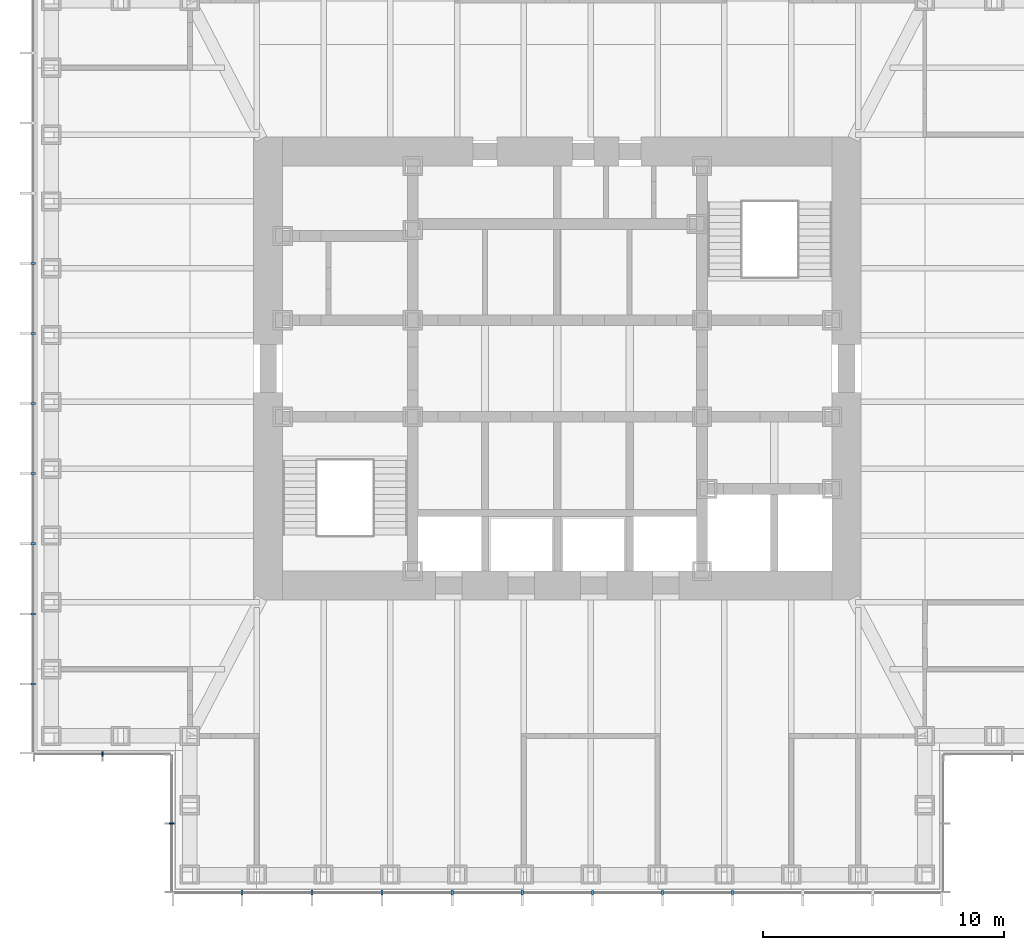
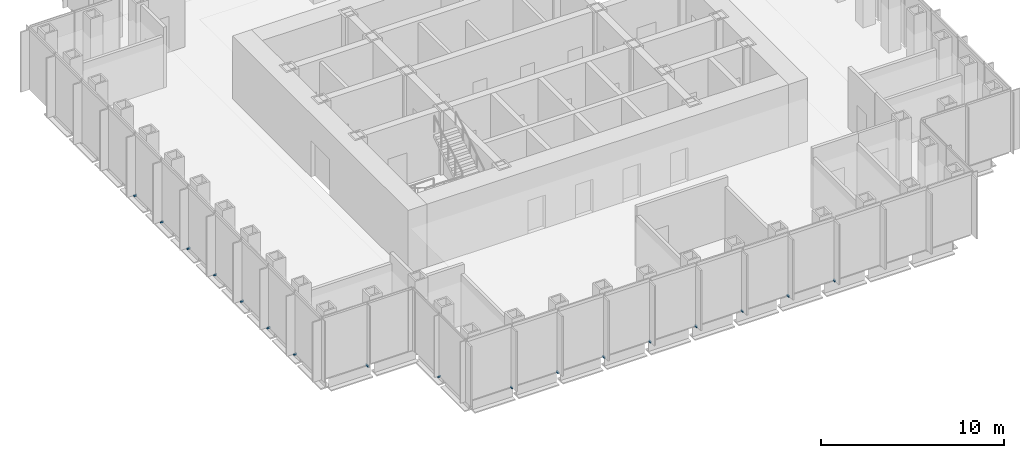
# One storey, part 11 of 16: 17 discrete accessories.
"""IFC4 building model written with IfcOpenShell, lengths in metres."""

import ifcopenshell
import ifcopenshell.guid

model = None  # the IFC model being written
_history = None  # IfcOwnerHistory: only IFC2X3 demands one
_inside = {}  # id of a spatial element -> (the spatial element, [elements in it])
_under = {}  # id of a project, library or spatial element -> (it, [spatial elements below it])
_declared = {}  # id of a project -> (the project, [libraries it declares])
_typed = {}  # id of a type object -> (the type object, [elements of that type])
_made_of = {}  # id of a material, layer set ... -> (it, [elements and type objects made of it])


def new_model(schema):
    """Start an empty IFC model of exactly this schema.

    Asked for "IFC4X3", IfcOpenShell would pick the latest addendum, in which some entities
    have other attributes; the version numbers below select the first issue.
    IFC2X3 requires an IfcOwnerHistory on every rooted entity: one is made here for all.
    """
    global model, _history
    if schema == "IFC4X3":
        model = ifcopenshell.file(schema_version=(4, 3, 0, 0))
    else:
        model = ifcopenshell.file(schema=schema)
    _inside.clear()
    _under.clear()
    _declared.clear()
    _typed.clear()
    _made_of.clear()
    _history = None
    if model.schema == "IFC2X3":
        org = make("IfcOrganization", Name="unknown")
        user = make(
            "IfcPersonAndOrganization",
            ThePerson=make("IfcPerson", FamilyName="unknown"),
            TheOrganization=org,
        )
        app = make(
            "IfcApplication",
            ApplicationDeveloper=org,
            Version="unknown",
            ApplicationFullName="unknown",
            ApplicationIdentifier="unknown",
        )
        _history = make(
            "IfcOwnerHistory",
            OwningUser=user,
            OwningApplication=app,
            ChangeAction="ADDED",
            CreationDate=0,
        )
    return model


def make(cls, **values):
    """One entity of the class cls with the attributes given. An attribute that is None is left unset."""
    return model.create_entity(
        cls, **{name: value for name, value in values.items() if value is not None}
    )


def rooted(cls, **values):
    """An entity with a GlobalId (a new one), such as an element, a storey or a relation."""
    return make(cls, GlobalId=ifcopenshell.guid.new(), OwnerHistory=_history, **values)


def si_unit(unit_type, name, prefix=None):
    """IfcSIUnit, for example si_unit("LENGTHUNIT", "METRE", prefix="MILLI")."""
    return make("IfcSIUnit", UnitType=unit_type, Prefix=prefix, Name=name)


def assignment(units):
    """IfcUnitAssignment: the units of a project."""
    return None if units is None else make("IfcUnitAssignment", Units=units)


def point(xyz):
    """IfcCartesianPoint."""
    return None if xyz is None else make("IfcCartesianPoint", Coordinates=xyz)


def direction(xyz):
    """IfcDirection."""
    return None if xyz is None else make("IfcDirection", DirectionRatios=xyz)


def frame(location, z_axis=None, x_axis=None):
    """IfcAxis2Placement3D, a coordinate frame: its origin and axes. An axis left out is left unset."""
    return make(
        "IfcAxis2Placement3D",
        Location=point(location),
        Axis=direction(z_axis),
        RefDirection=direction(x_axis),
    )


def frame_2d(location, x_axis=None):
    """IfcAxis2Placement2D, a coordinate frame in the plane: its origin and x axis."""
    return make(
        "IfcAxis2Placement2D", Location=point(location), RefDirection=direction(x_axis)
    )


def origin():
    """The frame at (0, 0, 0) with its axes left unset."""
    return frame((0.0, 0.0, 0.0))


def origin_2d():
    """The frame at (0, 0) in the plane with its x axis left unset."""
    return frame_2d((0.0, 0.0))


def place(relative_to, where):
    """IfcLocalPlacement: puts the frame where relative to a parent placement (None: the world)."""
    return make(
        "IfcLocalPlacement", PlacementRelTo=relative_to, RelativePlacement=where
    )


def context(
    kind, dimensions, precision=None, world=None, true_north=None, identifier=None
):
    """IfcGeometricRepresentationContext, for example the 3D "Model" context."""
    return make(
        "IfcGeometricRepresentationContext",
        ContextIdentifier=identifier,
        ContextType=kind,
        CoordinateSpaceDimension=dimensions,
        Precision=precision,
        WorldCoordinateSystem=world,
        TrueNorth=true_north,
    )


def subcontext(parent, identifier, kind, view, scale=None):
    """IfcGeometricRepresentationSubContext, for example "Body" below "Model"."""
    return make(
        "IfcGeometricRepresentationSubContext",
        ContextIdentifier=identifier,
        ContextType=kind,
        ParentContext=parent,
        TargetScale=scale,
        TargetView=view,
    )


def project(units=None, contexts=None):
    """IfcProject with its units and contexts."""
    return rooted(
        "IfcProject",
        Name="project",
        RepresentationContexts=contexts,
        UnitsInContext=assignment(units),
    )


def spatial(cls, under=None, at=None, **own):
    """A site, building, storey or space (cls), placed at a placement, below another one or the project."""
    s = rooted(cls, ObjectPlacement=at, **own)
    if under is not None:
        _under.setdefault(under.id(), (under, []))[1].append(s)
    return s


def profile(cls, at=None, kind="AREA", **sizes):
    """A parametric profile (cls). Its sizes go by their IFC names, for example OverallWidth=200.0."""
    return make(cls, ProfileType=kind, Position=at, **sizes)


def rectangle(**sizes):
    """IfcRectangleProfileDef."""
    return profile("IfcRectangleProfileDef", **sizes)


def extrude(swept, where, along, depth):
    """IfcExtrudedAreaSolid: the profile swept, set in the frame where, extruded along a direction by depth."""
    return make(
        "IfcExtrudedAreaSolid",
        SweptArea=swept,
        Position=where,
        ExtrudedDirection=direction(along),
        Depth=depth,
    )


def shape(context_of_items, identifier, shape_type, items):
    """IfcShapeRepresentation: the items that make up one representation, for example the "Body"."""
    return make(
        "IfcShapeRepresentation",
        ContextOfItems=context_of_items,
        RepresentationIdentifier=identifier,
        RepresentationType=shape_type,
        Items=items,
    )


def made_of(thing, what):
    """Note that an element or type object is made of a material, layer set ...; save() writes the relation."""
    if what is not None:
        _made_of.setdefault(what.id(), (what, []))[1].append(thing)
    return thing


def element(
    cls,
    number,
    at=None,
    inside=None,
    cuts=None,
    type_object=None,
    material=None,
    context=None,
    identifier="Body",
    shape_type=None,
    held_by="IfcProductDefinitionShape",
    body=None,
    shapes=None,
    **own,
):
    """One element of the class cls, such as IfcWall. Its Tag is "e" and its number.

    at: its placement. inside: the storey or other place that contains it. cuts: it is an
    opening in that element (IfcRelVoidsElement). A single representation is given by context,
    identifier, shape_type and body (its items); several are given by shapes. held_by: the class
    of the entity that holds the representations. save() writes the other relations.
    """
    e = rooted(cls, Tag="e%d" % number, ObjectPlacement=at, **own)
    if body is not None:
        shapes = [shape(context, identifier, shape_type, body)]
    if shapes is not None:
        e.Representation = make(held_by, Representations=shapes)
    if inside is not None:
        _inside.setdefault(inside.id(), (inside, []))[1].append(e)
    if cuts is not None:
        rooted(
            "IfcRelVoidsElement", RelatingBuildingElement=cuts, RelatedOpeningElement=e
        )
    if type_object is not None:
        _typed.setdefault(type_object.id(), (type_object, []))[1].append(e)
    return made_of(e, material)


def aggregate(whole, parts):
    """IfcRelAggregates: a whole, such as a stair, and the parts it consists of."""
    return rooted("IfcRelAggregates", RelatingObject=whole, RelatedObjects=parts)


def save(model, path):
    """Write the relations noted so far, then the file.

    IfcRelAggregates (storeys below a building ...), IfcRelContainedInSpatialStructure (elements
    in a storey), IfcRelDefinesByType, IfcRelAssociatesMaterial and IfcRelDeclares: one each for
    every whole, place, type object, material and project.
    """
    for whole, parts in _under.values():
        aggregate(whole, parts)
    for where, things in _inside.values():
        rooted(
            "IfcRelContainedInSpatialStructure",
            RelatedElements=things,
            RelatingStructure=where,
        )
    for kind, things in _typed.values():
        rooted("IfcRelDefinesByType", RelatedObjects=things, RelatingType=kind)
    for what, things in _made_of.values():
        rooted("IfcRelAssociatesMaterial", RelatedObjects=things, RelatingMaterial=what)
    for by, libraries in _declared.values():
        rooted("IfcRelDeclares", RelatingContext=by, RelatedDefinitions=libraries)
    model.write(path)


model = new_model("IFC4")

# Units and contexts
model_context = context("Model", 3, precision=1e-05, world=origin(), true_north=direction((0.0, 1.0)))
body_context = subcontext(model_context, "Body", "Model", "MODEL_VIEW")
ifc_project = project(units=[si_unit("LENGTHUNIT", "METRE"), si_unit("AREAUNIT", "SQUARE_METRE"), si_unit("VOLUMEUNIT", "CUBIC_METRE"), si_unit("PLANEANGLEUNIT", "RADIAN"), si_unit("MASSUNIT", "GRAM", prefix="KILO")], contexts=[model_context])

# Site, building, storey
site_placement = place(None, origin())
site = spatial("IfcSite", under=ifc_project, at=site_placement, CompositionType="ELEMENT")
building_placement = place(site_placement, origin())
building = spatial("IfcBuilding", under=site, at=building_placement, Name="Daluyong Arena Tower", CompositionType="ELEMENT")
storey_placement = place(building_placement, frame((0.0, 0.0, 258.699951171875)))
storey = spatial("IfcBuildingStorey", under=building, at=storey_placement, Name="L58", CompositionType="ELEMENT", Elevation=258.699951171875)

# Discrete accessories
for number, where, z_axis, x_axis, name in (
    (1, (42.9091796875, 58.25, -0.10009765625), (0.0, 0.0, 1.0), (1.0, 0.0, 0.0), "curtain wall L58 S anchor bracket 2"),
    (2, (45.818115234375, 58.25, -0.10009765625), (0.0, 0.0, 1.0), (1.0, 0.0, 0.0), "curtain wall L58 S anchor bracket 3"),
    (3, (48.727294921875, 58.25, -0.10009765625), (0.0, 0.0, 1.0), (1.0, 0.0, 0.0), "curtain wall L58 S anchor bracket 4"),
    (4, (51.636474609375, 58.25, -0.10009765625), (0.0, 0.0, 1.0), (1.0, 0.0, 0.0), "curtain wall L58 S anchor bracket 5"),
    (5, (54.54541015625, 58.25, -0.10009765625), (0.0, 0.0, 1.0), (1.0, 0.0, 0.0), "curtain wall L58 S anchor bracket 6"),
    (6, (57.45458984375, 58.25, -0.10009765625), (0.0, 0.0, 1.0), (1.0, 0.0, 0.0), "curtain wall L58 S anchor bracket 7"),
    (7, (60.363525390625, 58.25, -0.10009765625), (0.0, 0.0, 1.0), (1.0, 0.0, 0.0), "curtain wall L58 S anchor bracket 8"),
    (8, (63.272705078125, 58.25, -0.10009765625), (0.0, 0.0, 1.0), (1.0, 0.0, 0.0), "curtain wall L58 S anchor bracket 9"),
    (9, (34.25, 84.363525390625, -0.10009765625), (0.0, 0.0, 1.0), (0.0, -1.0, 0.0), "curtain wall L58 W anchor bracket 5"),
    (10, (34.25, 81.45458984375, -0.10009765625), (0.0, 0.0, 1.0), (0.0, -1.0, 0.0), "curtain wall L58 W anchor bracket 6"),
    (11, (34.25, 78.54541015625, -0.10009765625), (0.0, 0.0, 1.0), (0.0, -1.0, 0.0), "curtain wall L58 W anchor bracket 7"),
    (12, (34.25, 75.636474609375, -0.10009765625), (0.0, 0.0, 1.0), (0.0, -1.0, 0.0), "curtain wall L58 W anchor bracket 8"),
    (13, (34.25, 72.727294921875, -0.10009765625), (0.0, 0.0, 1.0), (0.0, -1.0, 0.0), "curtain wall L58 W anchor bracket 9"),
    (14, (34.25, 69.818115234375, -0.10009765625), (0.0, 0.0, 1.0), (0.0, -1.0, 0.0), "curtain wall L58 W anchor bracket 10"),
    (15, (34.25, 66.9091796875, -0.10009765625), (0.0, 0.0, 1.0), (0.0, -1.0, 0.0), "curtain wall L58 W anchor bracket 11"),
):
    element("IfcDiscreteAccessory", number, at=place(storey_placement, frame(where, z_axis=z_axis, x_axis=x_axis)), inside=storey, Name=name, PredefinedType="BRACKET", context=body_context, shape_type="SweptSolid", body=[
        extrude(rectangle(XDim=0.090087890625, YDim=0.199951171875, at=origin_2d()), origin(), (0.0, 0.0, 1.0), 0.10009765625),
    ])
for number, where, z_axis, x_axis, name in (
    (16, (37.125, 64.0, -0.10009765625), (0.0, 0.0, 1.0), (1.0, 0.0, 0.0), "curtain wall L58 SW-S anchor bracket 2"),
    (17, (40.0, 61.125, -0.10009765625), (0.0, 0.0, 1.0), (0.0, -1.0, 0.0), "curtain wall L58 SW-W anchor bracket 2"),
):
    element("IfcDiscreteAccessory", number, at=place(storey_placement, frame(where, z_axis=z_axis, x_axis=x_axis)), inside=storey, Name=name, PredefinedType="BRACKET", context=body_context, shape_type="SweptSolid", body=[
        extrude(rectangle(XDim=0.06005859375, YDim=0.199951171875, at=origin_2d()), origin(), (0.0, 0.0, 1.0), 0.10009765625),
    ])

save(model, "model.ifc")
